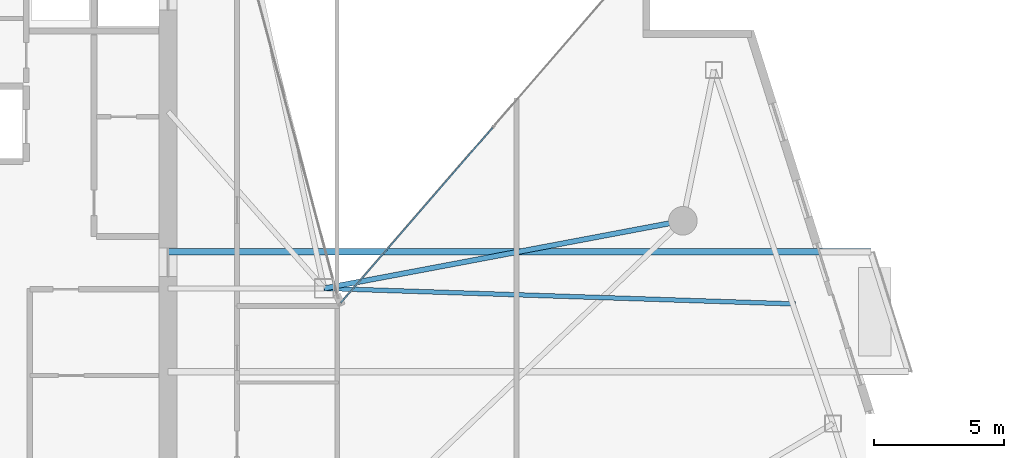
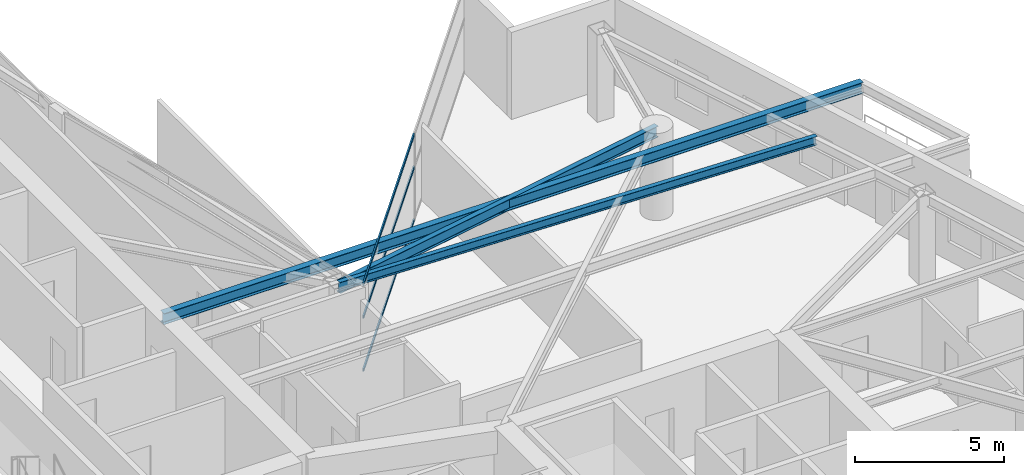
# One storey, part 12 of 29: 3 beams, 3 members, 1 element without a shape of its own.
"""IFC4 building model written with IfcOpenShell, lengths in metres."""

from ifc_helpers import new_model, si_unit, direction, frame, origin, origin_2d, place, context, subcontext, project, spatial, hollow_rectangle, i_section, extrude, material, layer, layer_set, material_profile, profile_set, type_object, element, aggregate, save


model = new_model("IFC4")

# Units and contexts
model_context = context("Model", 3, precision=1e-05, world=origin(), true_north=direction((0.0, 1.0)))
body_context = subcontext(model_context, "Body", "Model", "MODEL_VIEW")
ifc_project = project(units=[si_unit("LENGTHUNIT", "METRE"), si_unit("AREAUNIT", "SQUARE_METRE"), si_unit("VOLUMEUNIT", "CUBIC_METRE"), si_unit("PLANEANGLEUNIT", "RADIAN"), si_unit("MASSUNIT", "GRAM", prefix="KILO")], contexts=[model_context])

# Site, building, storey
site_placement = place(None, origin())
site = spatial("IfcSite", under=ifc_project, at=site_placement, CompositionType="ELEMENT")
building_placement = place(site_placement, origin())
building = spatial("IfcBuilding", under=site, at=building_placement, Name="Calvorn Quay Hotel", CompositionType="ELEMENT")
storey_placement = place(building_placement, frame((0.0, 0.0, 255.199951171875)))
storey = spatial("IfcBuildingStorey", under=building, at=storey_placement, Name="L63", CompositionType="ELEMENT", Elevation=255.199951171875)

# Beams
ifc_material_1 = material(Name="Steel Q355B", Category="steel")
ifc_material_profile_1 = material_profile(ifc_material_1, i_section(OverallWidth=0.25, OverallDepth=0.449951171875, WebThickness=0.011962890625, FlangeThickness=0.01611328125, FilletRadius=0.01611328125, at=origin_2d()), Name="HN450x250x12x16")
ifc_profile_set_1 = profile_set([ifc_material_profile_1], Name="Steel Q355B")
beam_type_1 = type_object("IfcBeamType", Name="BM-CANT-BALC", PredefinedType="BEAM", material=ifc_profile_set_1)
beam_1_placement = place(storey_placement, frame((15.0, 26.39990234375, 3.31494140625), z_axis=(1.0, 0.0, 0.0), x_axis=(0.0, 1.0, 0.0)))
element("IfcBeam", 1, at=beam_1_placement, inside=storey, type_object=beam_type_1, Name="Cantilever Balcony Beam BCB-L64-1B", PredefinedType="BEAM", context=body_context, shape_type="SweptSolid", body=[
    extrude(i_section(OverallWidth=0.25, OverallDepth=0.449951171875, WebThickness=0.011962890625, FlangeThickness=0.01611328125, FilletRadius=0.01611328125, at=origin_2d()), origin(), (0.0, 0.0, 1.0), 27.037109375),
])
ifc_material_2 = material(Name="Steel Q355B", Category="steel")
ifc_material_profile_2 = material_profile(ifc_material_2, i_section(OverallWidth=0.175048828125, OverallDepth=0.35009765625, WebThickness=0.007080078125, FlangeThickness=0.010986328125, FilletRadius=0.013916015625, at=origin_2d()), Name="HN350x175x7x11")
ifc_profile_set_2 = profile_set([ifc_material_profile_2], Name="Steel Q355B")
beam_type_2 = type_object("IfcBeamType", Name="BM-JOIST-SEC", PredefinedType="JOIST", material=ifc_profile_set_2)
beam_2_placement = place(storey_placement, frame((21.0, 25.0, 3.364990234375), z_axis=(0.999452470599, -0.033087142721, 0.0), x_axis=(0.033087142721, 0.999452470599, 0.0)))
element("IfcBeam", 2, at=beam_2_placement, inside=storey, type_object=beam_type_2, Name="Beam BJ-L63-E3", PredefinedType="JOIST", context=body_context, shape_type="SweptSolid", body=[
    extrude(i_section(OverallWidth=0.175048828125, OverallDepth=0.35009765625, WebThickness=0.007080078125, FlangeThickness=0.010986328125, FilletRadius=0.013916015625, at=origin_2d()), origin(), (0.0, 0.0, 1.0), 18.136962890625),
])
ifc_material_3 = material(Name="Steel Q355B", Category="steel")
ifc_material_profile_3 = material_profile(ifc_material_3, i_section(OverallWidth=0.199951171875, OverallDepth=0.449951171875, WebThickness=0.009033203125, FlangeThickness=0.013916015625, FilletRadius=0.01611328125, at=origin_2d()), Name="HN450x200x9x14")
ifc_profile_set_3 = profile_set([ifc_material_profile_3], Name="Steel Q355B")
beam_type_3 = type_object("IfcBeamType", Name="BM-SPANDREL-Z3", PredefinedType="SPANDREL", material=ifc_profile_set_3)
beam_3_placement = place(storey_placement, frame((34.800048828125, 27.60009765625, 3.31494140625), z_axis=(-0.982709432406, -0.185154452988, 0.0), x_axis=(0.185154452988, -0.982709432406, 0.0)))
element("IfcBeam", 3, at=beam_3_placement, inside=storey, type_object=beam_type_3, Name="Beam BSP-L63-E4", PredefinedType="SPANDREL", context=body_context, shape_type="SweptSolid", body=[
    extrude(i_section(OverallWidth=0.199951171875, OverallDepth=0.449951171875, WebThickness=0.009033203125, FlangeThickness=0.013916015625, FilletRadius=0.01611328125, at=origin_2d()), origin(), (0.0, 0.0, 1.0), 14.04296875),
])

# Curtain wall, members
ifc_material_4 = material(Name="Champagne Bronze Anodised Aluminium and Low-E Glass", Category="aluminium")
ifc_layer = layer(ifc_material_4, 0.219970703125)
ifc_layer_set = layer_set([ifc_layer], Name="CW-SYS-Z4")
curtain_wall_type = type_object("IfcCurtainWallType", Name="CW-SYS-Z4", PredefinedType="NOTDEFINED", material=ifc_layer_set)
curtain_wall_placement = place(storey_placement, origin())
curtain_wall = element("IfcCurtainWall", 4, at=curtain_wall_placement, inside=storey, type_object=curtain_wall_type, Name="Inner Court Curtain Wall L63-NE1", PredefinedType="NOTDEFINED")
ifc_material_5 = material(Name="Champagne Bronze Anodised Aluminium 6063-T6", Category="aluminium")
ifc_material_profile_4 = material_profile(ifc_material_5, hollow_rectangle(XDim=0.054931640625, YDim=0.1298828125, WallThickness=0.003173828125, at=origin_2d()), Name="ALU-T130x55x3.2")
ifc_profile_set_4 = profile_set([ifc_material_profile_4], Name="Champagne Bronze Anodised Aluminium 6063-T6")
member_type = type_object("IfcMemberType", Name="CW-SYS-Z4-TRN", PredefinedType="USERDEFINED", material=ifc_profile_set_4)
member_1_placement = place(storey_placement, frame((27.480224609375, 31.17724609375, 0.030029296875), z_axis=(-0.65534550322, -0.755329247024, 0.0), x_axis=(0.755329247024, -0.65534550322, 0.0)))
member_1 = element("IfcMember", 5, at=member_1_placement, type_object=member_type, Name="CW-L63-NE1 transom 2.1", ObjectType="TRANSOM", PredefinedType="USERDEFINED", context=body_context, shape_type="SweptSolid", body=[
    extrude(hollow_rectangle(XDim=0.054931640625, YDim=0.1298828125, WallThickness=0.003173828125, at=origin_2d()), origin(), (0.0, 0.0, 1.0), 8.91259765625),
])
member_2_placement = place(storey_placement, frame((27.480224609375, 31.17724609375, 2.199951171875), z_axis=(-0.65534550322, -0.755329247024, 0.0), x_axis=(0.755329247024, -0.65534550322, 0.0)))
member_2 = element("IfcMember", 6, at=member_2_placement, type_object=member_type, Name="CW-L63-NE1 transom 2.2", ObjectType="TRANSOM", PredefinedType="USERDEFINED", context=body_context, shape_type="SweptSolid", body=[
    extrude(hollow_rectangle(XDim=0.054931640625, YDim=0.1298828125, WallThickness=0.003173828125, at=origin_2d()), origin(), (0.0, 0.0, 1.0), 8.91259765625),
])
member_3_placement = place(storey_placement, frame((27.480224609375, 31.17724609375, 3.530029296875), z_axis=(-0.65534550322, -0.755329247024, 0.0), x_axis=(0.755329247024, -0.65534550322, 0.0)))
member_3 = element("IfcMember", 7, at=member_3_placement, type_object=member_type, Name="CW-L63-NE1 transom 2.3", ObjectType="TRANSOM", PredefinedType="USERDEFINED", context=body_context, shape_type="SweptSolid", body=[
    extrude(hollow_rectangle(XDim=0.054931640625, YDim=0.1298828125, WallThickness=0.003173828125, at=origin_2d()), origin(), (0.0, 0.0, 1.0), 8.91259765625),
])
aggregate(curtain_wall, [member_1, member_2, member_3])

save(model, "model.ifc")
